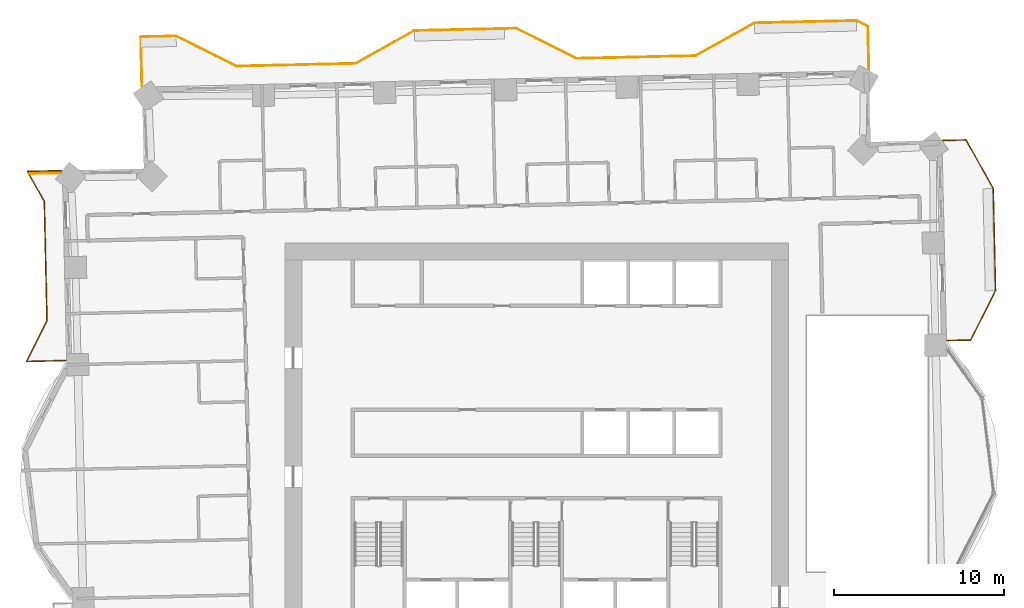
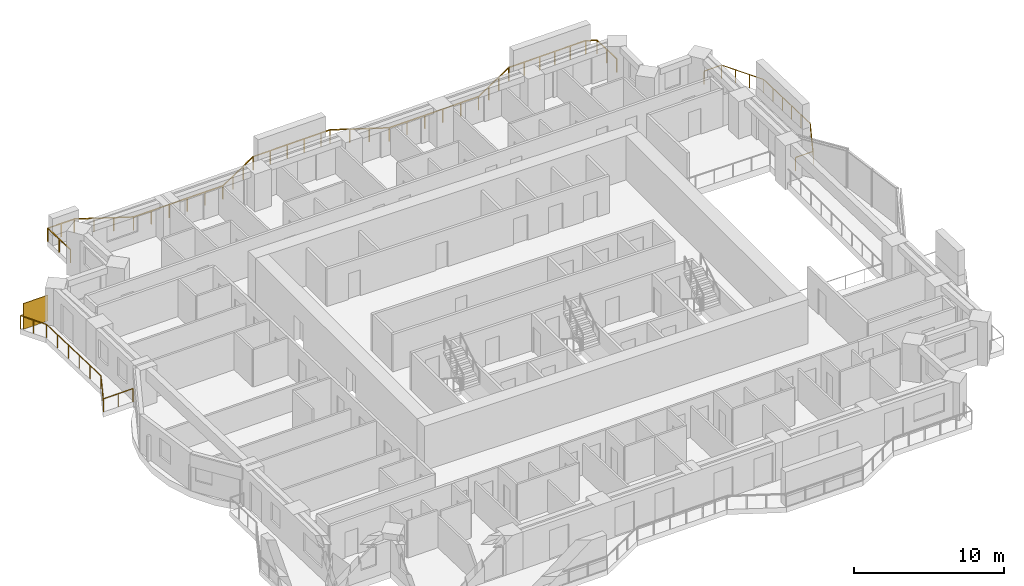
# One storey, part 16 of 16: 3 railings, 1 shading device.
"""IFC4 building model written with IfcOpenShell, lengths in metres."""

import ifcopenshell
import ifcopenshell.guid

model = None  # the IFC model being written
_history = None  # IfcOwnerHistory: only IFC2X3 demands one
_inside = {}  # id of a spatial element -> (the spatial element, [elements in it])
_under = {}  # id of a project, library or spatial element -> (it, [spatial elements below it])
_declared = {}  # id of a project -> (the project, [libraries it declares])
_typed = {}  # id of a type object -> (the type object, [elements of that type])
_made_of = {}  # id of a material, layer set ... -> (it, [elements and type objects made of it])


def new_model(schema):
    """Start an empty IFC model of exactly this schema.

    Asked for "IFC4X3", IfcOpenShell would pick the latest addendum, in which some entities
    have other attributes; the version numbers below select the first issue.
    IFC2X3 requires an IfcOwnerHistory on every rooted entity: one is made here for all.
    """
    global model, _history
    if schema == "IFC4X3":
        model = ifcopenshell.file(schema_version=(4, 3, 0, 0))
    else:
        model = ifcopenshell.file(schema=schema)
    _inside.clear()
    _under.clear()
    _declared.clear()
    _typed.clear()
    _made_of.clear()
    _history = None
    if model.schema == "IFC2X3":
        org = make("IfcOrganization", Name="unknown")
        user = make(
            "IfcPersonAndOrganization",
            ThePerson=make("IfcPerson", FamilyName="unknown"),
            TheOrganization=org,
        )
        app = make(
            "IfcApplication",
            ApplicationDeveloper=org,
            Version="unknown",
            ApplicationFullName="unknown",
            ApplicationIdentifier="unknown",
        )
        _history = make(
            "IfcOwnerHistory",
            OwningUser=user,
            OwningApplication=app,
            ChangeAction="ADDED",
            CreationDate=0,
        )
    return model


def make(cls, **values):
    """One entity of the class cls with the attributes given. An attribute that is None is left unset."""
    return model.create_entity(
        cls, **{name: value for name, value in values.items() if value is not None}
    )


def rooted(cls, **values):
    """An entity with a GlobalId (a new one), such as an element, a storey or a relation."""
    return make(cls, GlobalId=ifcopenshell.guid.new(), OwnerHistory=_history, **values)


def si_unit(unit_type, name, prefix=None):
    """IfcSIUnit, for example si_unit("LENGTHUNIT", "METRE", prefix="MILLI")."""
    return make("IfcSIUnit", UnitType=unit_type, Prefix=prefix, Name=name)


def assignment(units):
    """IfcUnitAssignment: the units of a project."""
    return None if units is None else make("IfcUnitAssignment", Units=units)


def point(xyz):
    """IfcCartesianPoint."""
    return None if xyz is None else make("IfcCartesianPoint", Coordinates=xyz)


def direction(xyz):
    """IfcDirection."""
    return None if xyz is None else make("IfcDirection", DirectionRatios=xyz)


def frame(location, z_axis=None, x_axis=None):
    """IfcAxis2Placement3D, a coordinate frame: its origin and axes. An axis left out is left unset."""
    return make(
        "IfcAxis2Placement3D",
        Location=point(location),
        Axis=direction(z_axis),
        RefDirection=direction(x_axis),
    )


def frame_2d(location, x_axis=None):
    """IfcAxis2Placement2D, a coordinate frame in the plane: its origin and x axis."""
    return make(
        "IfcAxis2Placement2D", Location=point(location), RefDirection=direction(x_axis)
    )


def origin():
    """The frame at (0, 0, 0) with its axes left unset."""
    return frame((0.0, 0.0, 0.0))


def origin_2d():
    """The frame at (0, 0) in the plane with its x axis left unset."""
    return frame_2d((0.0, 0.0))


def place(relative_to, where):
    """IfcLocalPlacement: puts the frame where relative to a parent placement (None: the world)."""
    return make(
        "IfcLocalPlacement", PlacementRelTo=relative_to, RelativePlacement=where
    )


def context(
    kind, dimensions, precision=None, world=None, true_north=None, identifier=None
):
    """IfcGeometricRepresentationContext, for example the 3D "Model" context."""
    return make(
        "IfcGeometricRepresentationContext",
        ContextIdentifier=identifier,
        ContextType=kind,
        CoordinateSpaceDimension=dimensions,
        Precision=precision,
        WorldCoordinateSystem=world,
        TrueNorth=true_north,
    )


def subcontext(parent, identifier, kind, view, scale=None):
    """IfcGeometricRepresentationSubContext, for example "Body" below "Model"."""
    return make(
        "IfcGeometricRepresentationSubContext",
        ContextIdentifier=identifier,
        ContextType=kind,
        ParentContext=parent,
        TargetScale=scale,
        TargetView=view,
    )


def project(units=None, contexts=None):
    """IfcProject with its units and contexts."""
    return rooted(
        "IfcProject",
        Name="project",
        RepresentationContexts=contexts,
        UnitsInContext=assignment(units),
    )


def spatial(cls, under=None, at=None, **own):
    """A site, building, storey or space (cls), placed at a placement, below another one or the project."""
    s = rooted(cls, ObjectPlacement=at, **own)
    if under is not None:
        _under.setdefault(under.id(), (under, []))[1].append(s)
    return s


def profile(cls, at=None, kind="AREA", **sizes):
    """A parametric profile (cls). Its sizes go by their IFC names, for example OverallWidth=200.0."""
    return make(cls, ProfileType=kind, Position=at, **sizes)


def rectangle(**sizes):
    """IfcRectangleProfileDef."""
    return profile("IfcRectangleProfileDef", **sizes)


def extrude(swept, where, along, depth):
    """IfcExtrudedAreaSolid: the profile swept, set in the frame where, extruded along a direction by depth."""
    return make(
        "IfcExtrudedAreaSolid",
        SweptArea=swept,
        Position=where,
        ExtrudedDirection=direction(along),
        Depth=depth,
    )


def shape(context_of_items, identifier, shape_type, items):
    """IfcShapeRepresentation: the items that make up one representation, for example the "Body"."""
    return make(
        "IfcShapeRepresentation",
        ContextOfItems=context_of_items,
        RepresentationIdentifier=identifier,
        RepresentationType=shape_type,
        Items=items,
    )


def material(Name=None, Category=None):
    """IfcMaterial."""
    return make("IfcMaterial", Name=Name, Category=Category)


def made_of(thing, what):
    """Note that an element or type object is made of a material, layer set ...; save() writes the relation."""
    if what is not None:
        _made_of.setdefault(what.id(), (what, []))[1].append(thing)
    return thing


def type_object(cls, material=None, **own):
    """A type object (cls), such as IfcWallType, which elements share."""
    return made_of(rooted(cls, **own), material)


def element(
    cls,
    number,
    at=None,
    inside=None,
    cuts=None,
    type_object=None,
    material=None,
    context=None,
    identifier="Body",
    shape_type=None,
    held_by="IfcProductDefinitionShape",
    body=None,
    shapes=None,
    **own,
):
    """One element of the class cls, such as IfcWall. Its Tag is "e" and its number.

    at: its placement. inside: the storey or other place that contains it. cuts: it is an
    opening in that element (IfcRelVoidsElement). A single representation is given by context,
    identifier, shape_type and body (its items); several are given by shapes. held_by: the class
    of the entity that holds the representations. save() writes the other relations.
    """
    e = rooted(cls, Tag="e%d" % number, ObjectPlacement=at, **own)
    if body is not None:
        shapes = [shape(context, identifier, shape_type, body)]
    if shapes is not None:
        e.Representation = make(held_by, Representations=shapes)
    if inside is not None:
        _inside.setdefault(inside.id(), (inside, []))[1].append(e)
    if cuts is not None:
        rooted(
            "IfcRelVoidsElement", RelatingBuildingElement=cuts, RelatedOpeningElement=e
        )
    if type_object is not None:
        _typed.setdefault(type_object.id(), (type_object, []))[1].append(e)
    return made_of(e, material)


def aggregate(whole, parts):
    """IfcRelAggregates: a whole, such as a stair, and the parts it consists of."""
    return rooted("IfcRelAggregates", RelatingObject=whole, RelatedObjects=parts)


def save(model, path):
    """Write the relations noted so far, then the file.

    IfcRelAggregates (storeys below a building ...), IfcRelContainedInSpatialStructure (elements
    in a storey), IfcRelDefinesByType, IfcRelAssociatesMaterial and IfcRelDeclares: one each for
    every whole, place, type object, material and project.
    """
    for whole, parts in _under.values():
        aggregate(whole, parts)
    for where, things in _inside.values():
        rooted(
            "IfcRelContainedInSpatialStructure",
            RelatedElements=things,
            RelatingStructure=where,
        )
    for kind, things in _typed.values():
        rooted("IfcRelDefinesByType", RelatedObjects=things, RelatingType=kind)
    for what, things in _made_of.values():
        rooted("IfcRelAssociatesMaterial", RelatedObjects=things, RelatingMaterial=what)
    for by, libraries in _declared.values():
        rooted("IfcRelDeclares", RelatingContext=by, RelatedDefinitions=libraries)
    model.write(path)


model = new_model("IFC4")

# Units and contexts
model_context = context("Model", 3, precision=1e-05, world=origin(), true_north=direction((0.0, 1.0)))
body_context = subcontext(model_context, "Body", "Model", "MODEL_VIEW")
ifc_project = project(units=[si_unit("LENGTHUNIT", "METRE"), si_unit("AREAUNIT", "SQUARE_METRE"), si_unit("VOLUMEUNIT", "CUBIC_METRE"), si_unit("PLANEANGLEUNIT", "RADIAN"), si_unit("MASSUNIT", "GRAM", prefix="KILO")], contexts=[model_context])

# Site, building, storey
site_placement = place(None, origin())
site = spatial("IfcSite", under=ifc_project, at=site_placement, CompositionType="ELEMENT")
building_placement = place(site_placement, origin())
building = spatial("IfcBuilding", under=site, at=building_placement, Name="Mangrove Gate Tower", CompositionType="ELEMENT")
storey_placement = place(building_placement, frame((0.0, 0.0, 133.699951171875)))
storey = spatial("IfcBuildingStorey", under=building, at=storey_placement, Name="L33", CompositionType="ELEMENT", Elevation=133.699951171875)

# Railings
ifc_material_1 = material(Name="Stainless steel grade 316 with laminated glass infill", Category="steel")
railing_type = type_object("IfcRailingType", Name="Balcony guard 1100", PredefinedType="GUARDRAIL", material=ifc_material_1)
railing_1_placement = place(storey_placement, frame((24.14404296875, 6.06103515625, 0.0)))
element("IfcRailing", 1, at=railing_1_placement, inside=storey, type_object=railing_type, Name="GUARD L33 E2", PredefinedType="GUARDRAIL", context=body_context, shape_type="SweptSolid", body=[
    extrude(rectangle(XDim=0.048095703125, YDim=0.048095703125, at=origin_2d()), frame((0.0, 0.0, 1.076171875), z_axis=(0.999735358589, 0.023004625325, 0.0), x_axis=(-0.023004625325, 0.999735358589, 0.0)), (0.0, 0.0, 1.0), 1.390380859375),
    extrude(rectangle(XDim=0.048095703125, YDim=0.048095703125, at=origin_2d()), frame((1.389892578125, 0.031982421875, 1.076171875), z_axis=(0.447243631758, 0.894412172241, 0.0), x_axis=(-0.894412172241, 0.447243631758, 0.0)), (0.0, 0.0, 1.0), 3.251220703125),
    extrude(rectangle(XDim=0.048095703125, YDim=0.048095703125, at=origin_2d()), frame((2.843994140625, 2.93994140625, 1.076171875), z_axis=(-0.022662255828, 0.999743178102, 0.0), x_axis=(-0.999743178102, -0.022662255828, 0.0)), (0.0, 0.0, 1.0), 6.00048828125),
    extrude(rectangle(XDim=0.048095703125, YDim=0.048095703125, at=origin_2d()), frame((2.7080078125, 8.93896484375, 1.076171875), z_axis=(-0.487506047717, 0.873119610042, 0.0), x_axis=(-0.873119610042, -0.487506047717, 0.0)), (0.0, 0.0, 1.0), 3.2802734375),
    extrude(rectangle(XDim=0.048095703125, YDim=0.048095703125, at=origin_2d()), frame((1.10888671875, 11.802978515625, 1.076171875), z_axis=(-0.99974621256, -0.022527993079, 0.0), x_axis=(0.022527993079, -0.99974621256, 0.0)), (0.0, 0.0, 1.0), 1.376220703125),
    extrude(rectangle(XDim=0.0419921875, YDim=0.0419921875, at=origin_2d()), origin(), (0.0, 0.0, 1.0), 1.052001953125),
    extrude(rectangle(XDim=0.0419921875, YDim=0.0419921875, at=origin_2d()), frame((1.389892578125, 0.031982421875, 0.0)), (0.0, 0.0, 1.0), 1.052001953125),
    extrude(rectangle(XDim=0.0419921875, YDim=0.0419921875, at=origin_2d()), frame((1.87451171875, 1.001220703125, 0.0)), (0.0, 0.0, 1.0), 1.052001953125),
    extrude(rectangle(XDim=0.0419921875, YDim=0.0419921875, at=origin_2d()), frame((2.359375, 1.970703125, 0.0)), (0.0, 0.0, 1.0), 1.052001953125),
    extrude(rectangle(XDim=0.0419921875, YDim=0.0419921875, at=origin_2d()), frame((2.843994140625, 2.93994140625, 0.0)), (0.0, 0.0, 1.0), 1.052001953125),
    extrude(rectangle(XDim=0.0419921875, YDim=0.0419921875, at=origin_2d()), frame((2.81689453125, 4.1396484375, 0.0)), (0.0, 0.0, 1.0), 1.052001953125),
    extrude(rectangle(XDim=0.0419921875, YDim=0.0419921875, at=origin_2d()), frame((2.78955078125, 5.339599609375, 0.0)), (0.0, 0.0, 1.0), 1.052001953125),
    extrude(rectangle(XDim=0.0419921875, YDim=0.0419921875, at=origin_2d()), frame((2.762451171875, 6.539306640625, 0.0)), (0.0, 0.0, 1.0), 1.052001953125),
    extrude(rectangle(XDim=0.0419921875, YDim=0.0419921875, at=origin_2d()), frame((2.735107421875, 7.7392578125, 0.0)), (0.0, 0.0, 1.0), 1.052001953125),
    extrude(rectangle(XDim=0.0419921875, YDim=0.0419921875, at=origin_2d()), frame((2.7080078125, 8.93896484375, 0.0)), (0.0, 0.0, 1.0), 1.052001953125),
    extrude(rectangle(XDim=0.0419921875, YDim=0.0419921875, at=origin_2d()), frame((2.175048828125, 9.8935546875, 0.0)), (0.0, 0.0, 1.0), 1.052001953125),
    extrude(rectangle(XDim=0.0419921875, YDim=0.0419921875, at=origin_2d()), frame((1.641845703125, 10.848388671875, 0.0)), (0.0, 0.0, 1.0), 1.052001953125),
    extrude(rectangle(XDim=0.0419921875, YDim=0.0419921875, at=origin_2d()), frame((1.10888671875, 11.802978515625, 0.0)), (0.0, 0.0, 1.0), 1.052001953125),
    extrude(rectangle(XDim=0.0419921875, YDim=0.0419921875, at=origin_2d()), frame((-0.26708984375, 11.77197265625, 0.0)), (0.0, 0.0, 1.0), 1.052001953125),
])
railing_2_placement = place(storey_placement, frame((19.541015625, 21.97607421875, 0.0)))
element("IfcRailing", 2, at=railing_2_placement, inside=storey, type_object=railing_type, Name="GUARD L33 N1", PredefinedType="GUARDRAIL", context=body_context, shape_type="SweptSolid", body=[
    extrude(rectangle(XDim=0.048095703125, YDim=0.048095703125, at=origin_2d()), frame((0.0, 0.0, 1.076171875), z_axis=(-0.022363204232, 0.999749912276, 0.0), x_axis=(-0.999749912276, -0.022363204232, 0.0)), (0.0, 0.0, 1.0), 2.5546875),
    extrude(rectangle(XDim=0.048095703125, YDim=0.048095703125, at=origin_2d()), frame((-0.05712890625, 2.553955078125, 1.076171875), z_axis=(-0.894362954634, 0.447342045172, 0.0), x_axis=(-0.447342045172, -0.894362954634, 0.0)), (0.0, 0.0, 1.0), 0.76025390625),
    extrude(rectangle(XDim=0.048095703125, YDim=0.048095703125, at=origin_2d()), frame((-0.737060546875, 2.89404296875, 1.076171875), z_axis=(-0.999742255469, -0.022702921152, 0.0), x_axis=(0.022702921152, -0.999742255469, 0.0)), (0.0, 0.0, 1.0), 6.00048828125),
    extrude(rectangle(XDim=0.048095703125, YDim=0.048095703125, at=origin_2d()), frame((-6.736083984375, 2.7578125, 1.076171875), z_axis=(-0.87325689943, -0.48726008209, 0.0), x_axis=(0.48726008209, -0.87325689943, 0.0)), (0.0, 0.0, 1.0), 3.958740234375),
    extrude(rectangle(XDim=0.048095703125, YDim=0.048095703125, at=origin_2d()), frame((-10.193115234375, 0.828857421875, 1.076171875), z_axis=(-0.999742177561, -0.022706351659, 0.0), x_axis=(0.022706351659, -0.999742177561, 0.0)), (0.0, 0.0, 1.0), 6.99951171875),
    extrude(rectangle(XDim=0.048095703125, YDim=0.048095703125, at=origin_2d()), frame((-17.19091796875, 0.669921875, 1.076171875), z_axis=(-0.894476522376, 0.447114919141, 0.0), x_axis=(-0.447114919141, -0.894476522376, 0.0)), (0.0, 0.0, 1.0), 3.958740234375),
    extrude(rectangle(XDim=0.048095703125, YDim=0.048095703125, at=origin_2d()), frame((-20.73193359375, 2.43994140625, 1.076171875), z_axis=(-0.999735316342, -0.023006461255, 0.0), x_axis=(0.023006461255, -0.999735316342, 0.0)), (0.0, 0.0, 1.0), 0.700439453125),
    extrude(rectangle(XDim=0.048095703125, YDim=0.048095703125, at=origin_2d()), frame((-21.43212890625, 2.423828125, 1.076171875), z_axis=(-0.999744208111, -0.022616771387, 0.0), x_axis=(0.022616771387, -0.999744208111, 0.0)), (0.0, 0.0, 1.0), 5.30029296875),
    extrude(rectangle(XDim=0.048095703125, YDim=0.048095703125, at=origin_2d()), frame((-26.73095703125, 2.303955078125, 1.076171875), z_axis=(-0.87325689943, -0.48726008209, 0.0), x_axis=(0.48726008209, -0.87325689943, 0.0)), (0.0, 0.0, 1.0), 3.958740234375),
    extrude(rectangle(XDim=0.048095703125, YDim=0.048095703125, at=origin_2d()), frame((-30.18798828125, 0.375, 1.076171875), z_axis=(-0.999741403216, -0.022740419861, 0.0), x_axis=(0.022740419861, -0.999741403216, 0.0)), (0.0, 0.0, 1.0), 6.999755859375),
    extrude(rectangle(XDim=0.048095703125, YDim=0.048095703125, at=origin_2d()), frame((-37.18603515625, 0.2158203125, 1.076171875), z_axis=(-0.894476522376, 0.447114919141, 0.0), x_axis=(-0.447114919141, -0.894476522376, 0.0)), (0.0, 0.0, 1.0), 3.958740234375),
    extrude(rectangle(XDim=0.048095703125, YDim=0.048095703125, at=origin_2d()), frame((-40.72705078125, 1.98583984375, 1.076171875), z_axis=(-0.999743960655, -0.022627707232, 0.0), x_axis=(0.022627707232, -0.999743960655, 0.0)), (0.0, 0.0, 1.0), 2.071533203125),
    extrude(rectangle(XDim=0.048095703125, YDim=0.048095703125, at=origin_2d()), frame((-42.798095703125, 1.93896484375, 1.076171875), z_axis=(0.022403104328, -0.999749018963, 0.0), x_axis=(0.999749018963, 0.022403104328, 0.0)), (0.0, 0.0, 1.0), 2.90966796875),
    extrude(rectangle(XDim=0.0419921875, YDim=0.0419921875, at=origin_2d()), origin(), (0.0, 0.0, 1.0), 1.052001953125),
    extrude(rectangle(XDim=0.0419921875, YDim=0.0419921875, at=origin_2d()), frame((-0.028564453125, 1.27685546875, 0.0)), (0.0, 0.0, 1.0), 1.052001953125),
    extrude(rectangle(XDim=0.0419921875, YDim=0.0419921875, at=origin_2d()), frame((-0.05712890625, 2.553955078125, 0.0)), (0.0, 0.0, 1.0), 1.052001953125),
    extrude(rectangle(XDim=0.0419921875, YDim=0.0419921875, at=origin_2d()), frame((-0.737060546875, 2.89404296875, 0.0)), (0.0, 0.0, 1.0), 1.052001953125),
    extrude(rectangle(XDim=0.0419921875, YDim=0.0419921875, at=origin_2d()), frame((-1.936767578125, 2.86669921875, 0.0)), (0.0, 0.0, 1.0), 1.052001953125),
    extrude(rectangle(XDim=0.0419921875, YDim=0.0419921875, at=origin_2d()), frame((-3.13671875, 2.839599609375, 0.0)), (0.0, 0.0, 1.0), 1.052001953125),
    extrude(rectangle(XDim=0.0419921875, YDim=0.0419921875, at=origin_2d()), frame((-4.33642578125, 2.812255859375, 0.0)), (0.0, 0.0, 1.0), 1.052001953125),
    extrude(rectangle(XDim=0.0419921875, YDim=0.0419921875, at=origin_2d()), frame((-5.536376953125, 2.78515625, 0.0)), (0.0, 0.0, 1.0), 1.052001953125),
    extrude(rectangle(XDim=0.0419921875, YDim=0.0419921875, at=origin_2d()), frame((-6.736083984375, 2.7578125, 0.0)), (0.0, 0.0, 1.0), 1.052001953125),
    extrude(rectangle(XDim=0.0419921875, YDim=0.0419921875, at=origin_2d()), frame((-7.888427734375, 2.11474609375, 0.0)), (0.0, 0.0, 1.0), 1.052001953125),
    extrude(rectangle(XDim=0.0419921875, YDim=0.0419921875, at=origin_2d()), frame((-9.040771484375, 1.471923828125, 0.0)), (0.0, 0.0, 1.0), 1.052001953125),
    extrude(rectangle(XDim=0.0419921875, YDim=0.0419921875, at=origin_2d()), frame((-10.193115234375, 0.828857421875, 0.0)), (0.0, 0.0, 1.0), 1.052001953125),
    extrude(rectangle(XDim=0.0419921875, YDim=0.0419921875, at=origin_2d()), frame((-11.5927734375, 0.797119140625, 0.0)), (0.0, 0.0, 1.0), 1.052001953125),
    extrude(rectangle(XDim=0.0419921875, YDim=0.0419921875, at=origin_2d()), frame((-12.9921875, 0.765380859375, 0.0)), (0.0, 0.0, 1.0), 1.052001953125),
    extrude(rectangle(XDim=0.0419921875, YDim=0.0419921875, at=origin_2d()), frame((-14.391845703125, 0.7333984375, 0.0)), (0.0, 0.0, 1.0), 1.052001953125),
    extrude(rectangle(XDim=0.0419921875, YDim=0.0419921875, at=origin_2d()), frame((-15.791259765625, 0.70166015625, 0.0)), (0.0, 0.0, 1.0), 1.052001953125),
    extrude(rectangle(XDim=0.0419921875, YDim=0.0419921875, at=origin_2d()), frame((-17.19091796875, 0.669921875, 0.0)), (0.0, 0.0, 1.0), 1.052001953125),
    extrude(rectangle(XDim=0.0419921875, YDim=0.0419921875, at=origin_2d()), frame((-18.371337890625, 1.260009765625, 0.0)), (0.0, 0.0, 1.0), 1.052001953125),
    extrude(rectangle(XDim=0.0419921875, YDim=0.0419921875, at=origin_2d()), frame((-19.551513671875, 1.849853515625, 0.0)), (0.0, 0.0, 1.0), 1.052001953125),
    extrude(rectangle(XDim=0.0419921875, YDim=0.0419921875, at=origin_2d()), frame((-20.73193359375, 2.43994140625, 0.0)), (0.0, 0.0, 1.0), 1.052001953125),
    extrude(rectangle(XDim=0.0419921875, YDim=0.0419921875, at=origin_2d()), frame((-21.43212890625, 2.423828125, 0.0)), (0.0, 0.0, 1.0), 1.052001953125),
    extrude(rectangle(XDim=0.0419921875, YDim=0.0419921875, at=origin_2d()), frame((-22.7568359375, 2.393798828125, 0.0)), (0.0, 0.0, 1.0), 1.052001953125),
    extrude(rectangle(XDim=0.0419921875, YDim=0.0419921875, at=origin_2d()), frame((-24.08154296875, 2.36376953125, 0.0)), (0.0, 0.0, 1.0), 1.052001953125),
    extrude(rectangle(XDim=0.0419921875, YDim=0.0419921875, at=origin_2d()), frame((-25.40625, 2.333984375, 0.0)), (0.0, 0.0, 1.0), 1.052001953125),
    extrude(rectangle(XDim=0.0419921875, YDim=0.0419921875, at=origin_2d()), frame((-26.73095703125, 2.303955078125, 0.0)), (0.0, 0.0, 1.0), 1.052001953125),
    extrude(rectangle(XDim=0.0419921875, YDim=0.0419921875, at=origin_2d()), frame((-27.88330078125, 1.660888671875, 0.0)), (0.0, 0.0, 1.0), 1.052001953125),
    extrude(rectangle(XDim=0.0419921875, YDim=0.0419921875, at=origin_2d()), frame((-29.03564453125, 1.01806640625, 0.0)), (0.0, 0.0, 1.0), 1.052001953125),
    extrude(rectangle(XDim=0.0419921875, YDim=0.0419921875, at=origin_2d()), frame((-30.18798828125, 0.375, 0.0)), (0.0, 0.0, 1.0), 1.052001953125),
    extrude(rectangle(XDim=0.0419921875, YDim=0.0419921875, at=origin_2d()), frame((-31.587646484375, 0.34326171875, 0.0)), (0.0, 0.0, 1.0), 1.052001953125),
    extrude(rectangle(XDim=0.0419921875, YDim=0.0419921875, at=origin_2d()), frame((-32.9873046875, 0.311279296875, 0.0)), (0.0, 0.0, 1.0), 1.052001953125),
    extrude(rectangle(XDim=0.0419921875, YDim=0.0419921875, at=origin_2d()), frame((-34.38671875, 0.279541015625, 0.0)), (0.0, 0.0, 1.0), 1.052001953125),
    extrude(rectangle(XDim=0.0419921875, YDim=0.0419921875, at=origin_2d()), frame((-35.786376953125, 0.24755859375, 0.0)), (0.0, 0.0, 1.0), 1.052001953125),
    extrude(rectangle(XDim=0.0419921875, YDim=0.0419921875, at=origin_2d()), frame((-37.18603515625, 0.2158203125, 0.0)), (0.0, 0.0, 1.0), 1.052001953125),
    extrude(rectangle(XDim=0.0419921875, YDim=0.0419921875, at=origin_2d()), frame((-38.366455078125, 0.805908203125, 0.0)), (0.0, 0.0, 1.0), 1.052001953125),
    extrude(rectangle(XDim=0.0419921875, YDim=0.0419921875, at=origin_2d()), frame((-39.546630859375, 1.395751953125, 0.0)), (0.0, 0.0, 1.0), 1.052001953125),
    extrude(rectangle(XDim=0.0419921875, YDim=0.0419921875, at=origin_2d()), frame((-40.72705078125, 1.98583984375, 0.0)), (0.0, 0.0, 1.0), 1.052001953125),
    extrude(rectangle(XDim=0.0419921875, YDim=0.0419921875, at=origin_2d()), frame((-41.7626953125, 1.96240234375, 0.0)), (0.0, 0.0, 1.0), 1.052001953125),
    extrude(rectangle(XDim=0.0419921875, YDim=0.0419921875, at=origin_2d()), frame((-42.798095703125, 1.93896484375, 0.0)), (0.0, 0.0, 1.0), 1.052001953125),
    extrude(rectangle(XDim=0.0419921875, YDim=0.0419921875, at=origin_2d()), frame((-42.765625, 0.484375, 0.0)), (0.0, 0.0, 1.0), 1.052001953125),
    extrude(rectangle(XDim=0.0419921875, YDim=0.0419921875, at=origin_2d()), frame((-42.73291015625, -0.969970703125, 0.0)), (0.0, 0.0, 1.0), 1.052001953125),
])
railing_3_placement = place(storey_placement, frame((-27.9208984375, 16.056884765625, 0.0)))
element("IfcRailing", 3, at=railing_3_placement, inside=storey, type_object=railing_type, Name="GUARD L33 W1", PredefinedType="GUARDRAIL", context=body_context, shape_type="SweptSolid", body=[
    extrude(rectangle(XDim=0.048095703125, YDim=0.048095703125, at=origin_2d()), frame((0.0, 0.0, 1.076171875), z_axis=(-0.999750352762, -0.022343503572, 0.0), x_axis=(0.022343503572, -0.999750352762, 0.0)), (0.0, 0.0, 1.0), 2.010498046875),
    extrude(rectangle(XDim=0.048095703125, YDim=0.048095703125, at=origin_2d()), frame((-2.010009765625, -0.044921875, 1.076171875), z_axis=(0.487189673146, -0.873296182506, 0.0), x_axis=(0.873296182506, 0.487189673146, 0.0)), (0.0, 0.0, 1.0), 2.0361328125),
    extrude(rectangle(XDim=0.048095703125, YDim=0.048095703125, at=origin_2d()), frame((-1.01806640625, -1.822998046875, 1.076171875), z_axis=(0.022566906176, -0.999745334946, 0.0), x_axis=(0.999745334946, 0.022566906176, 0.0)), (0.0, 0.0, 1.0), 6.99951171875),
    extrude(rectangle(XDim=0.048095703125, YDim=0.048095703125, at=origin_2d()), frame((-0.860107421875, -8.82080078125, 1.076171875), z_axis=(-0.447031829068, -0.894518051132, 0.0), x_axis=(0.894518051132, -0.447031829068, 0.0)), (0.0, 0.0, 1.0), 2.6865234375),
    extrude(rectangle(XDim=0.048095703125, YDim=0.048095703125, at=origin_2d()), frame((-2.06103515625, -11.223876953125, 1.076171875), z_axis=(0.999738230516, 0.022879476484, 0.0), x_axis=(-0.022879476484, 0.999738230516, 0.0)), (0.0, 0.0, 1.0), 2.3154296875),
    extrude(rectangle(XDim=0.0419921875, YDim=0.0419921875, at=origin_2d()), origin(), (0.0, 0.0, 1.0), 1.052001953125),
    extrude(rectangle(XDim=0.0419921875, YDim=0.0419921875, at=origin_2d()), frame((-1.0048828125, -0.0224609375, 0.0)), (0.0, 0.0, 1.0), 1.052001953125),
    extrude(rectangle(XDim=0.0419921875, YDim=0.0419921875, at=origin_2d()), frame((-2.010009765625, -0.044921875, 0.0)), (0.0, 0.0, 1.0), 1.052001953125),
    extrude(rectangle(XDim=0.0419921875, YDim=0.0419921875, at=origin_2d()), frame((-1.51416015625, -0.93408203125, 0.0)), (0.0, 0.0, 1.0), 1.052001953125),
    extrude(rectangle(XDim=0.0419921875, YDim=0.0419921875, at=origin_2d()), frame((-1.01806640625, -1.822998046875, 0.0)), (0.0, 0.0, 1.0), 1.052001953125),
    extrude(rectangle(XDim=0.0419921875, YDim=0.0419921875, at=origin_2d()), frame((-0.986572265625, -3.22265625, 0.0)), (0.0, 0.0, 1.0), 1.052001953125),
    extrude(rectangle(XDim=0.0419921875, YDim=0.0419921875, at=origin_2d()), frame((-0.954833984375, -4.6220703125, 0.0)), (0.0, 0.0, 1.0), 1.052001953125),
    extrude(rectangle(XDim=0.0419921875, YDim=0.0419921875, at=origin_2d()), frame((-0.92333984375, -6.021728515625, 0.0)), (0.0, 0.0, 1.0), 1.052001953125),
    extrude(rectangle(XDim=0.0419921875, YDim=0.0419921875, at=origin_2d()), frame((-0.8916015625, -7.421142578125, 0.0)), (0.0, 0.0, 1.0), 1.052001953125),
    extrude(rectangle(XDim=0.0419921875, YDim=0.0419921875, at=origin_2d()), frame((-0.860107421875, -8.82080078125, 0.0)), (0.0, 0.0, 1.0), 1.052001953125),
    extrude(rectangle(XDim=0.0419921875, YDim=0.0419921875, at=origin_2d()), frame((-1.46044921875, -10.0224609375, 0.0)), (0.0, 0.0, 1.0), 1.052001953125),
    extrude(rectangle(XDim=0.0419921875, YDim=0.0419921875, at=origin_2d()), frame((-2.06103515625, -11.223876953125, 0.0)), (0.0, 0.0, 1.0), 1.052001953125),
    extrude(rectangle(XDim=0.0419921875, YDim=0.0419921875, at=origin_2d()), frame((-0.903564453125, -11.197265625, 0.0)), (0.0, 0.0, 1.0), 1.052001953125),
    extrude(rectangle(XDim=0.0419921875, YDim=0.0419921875, at=origin_2d()), frame((0.25390625, -11.1708984375, 0.0)), (0.0, 0.0, 1.0), 1.052001953125),
])

# Shading device
ifc_material_2 = material(Name="Timber slat screen in teak", Category="wood")
shading_device_type = type_object("IfcShadingDeviceType", Name="Balcony screen 2100", PredefinedType="USERDEFINED", material=ifc_material_2)
shading_device_placement = place(storey_placement, frame((-28.843017578125, 15.89599609375, 0.0), z_axis=(0.0, 0.0, 1.0), x_axis=(-0.99974733902, -0.022477947474, 0.0)))
element("IfcShadingDevice", 4, at=shading_device_placement, inside=storey, type_object=shading_device_type, Name="SCREEN L33 W0", ObjectType="SCREEN", PredefinedType="USERDEFINED", context=body_context, shape_type="SweptSolid", body=[
    extrude(rectangle(XDim=1.89111328125, YDim=0.050048828125, at=origin_2d()), origin(), (0.0, 0.0, 1.0), 2.10009765625),
])

save(model, "model.ifc")
